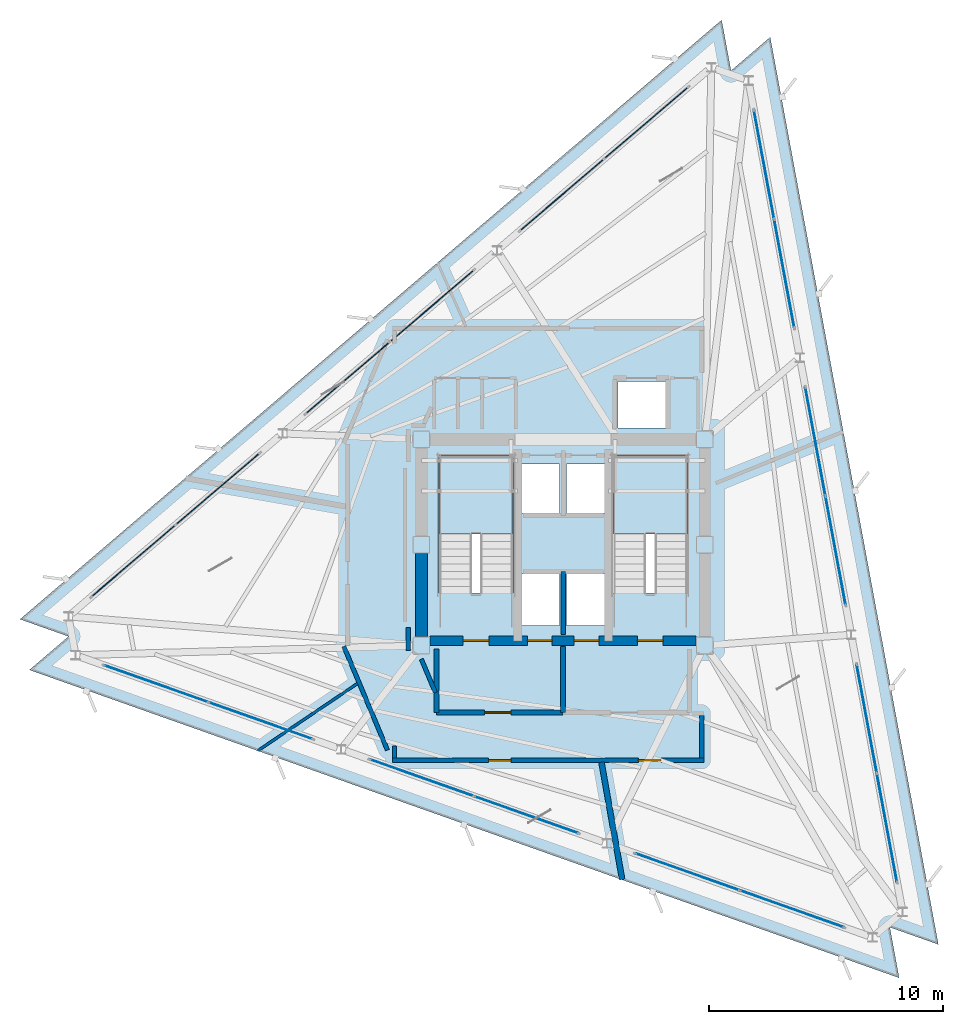
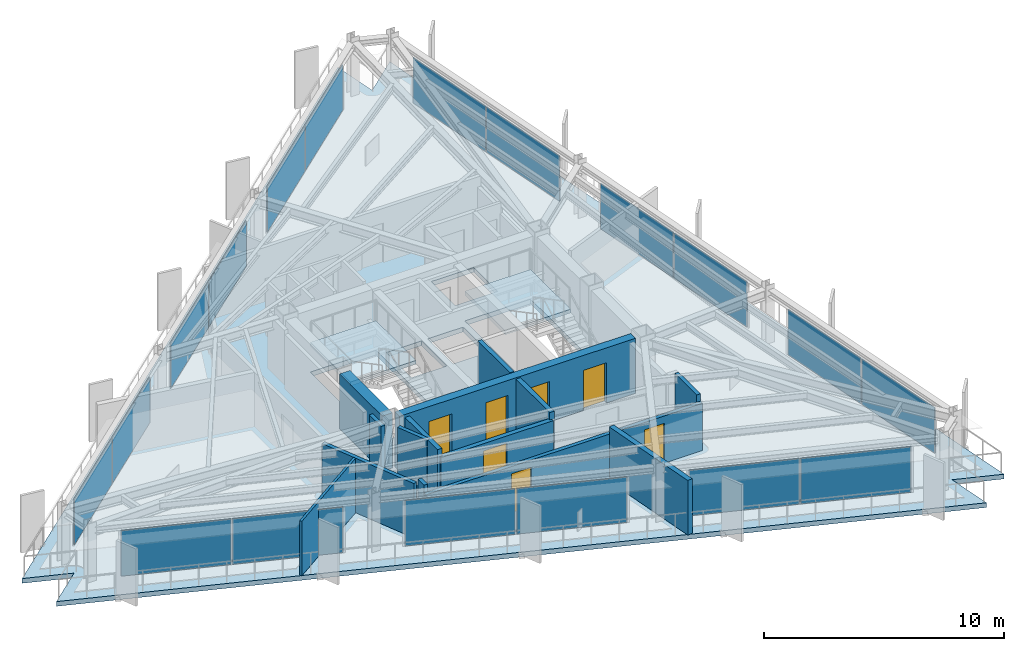
# One storey, part 8 of 14: 18 plates, 14 walls, 7 doors, 3 slabs, 7 openings, 11 elements without a shape of their own.
"""IFC4 building model written with IfcOpenShell, lengths in metres."""

import ifcopenshell
import ifcopenshell.guid

model = None  # the IFC model being written
_history = None  # IfcOwnerHistory: only IFC2X3 demands one
_inside = {}  # id of a spatial element -> (the spatial element, [elements in it])
_under = {}  # id of a project, library or spatial element -> (it, [spatial elements below it])
_declared = {}  # id of a project -> (the project, [libraries it declares])
_typed = {}  # id of a type object -> (the type object, [elements of that type])
_made_of = {}  # id of a material, layer set ... -> (it, [elements and type objects made of it])


def new_model(schema):
    """Start an empty IFC model of exactly this schema.

    Asked for "IFC4X3", IfcOpenShell would pick the latest addendum, in which some entities
    have other attributes; the version numbers below select the first issue.
    IFC2X3 requires an IfcOwnerHistory on every rooted entity: one is made here for all.
    """
    global model, _history
    if schema == "IFC4X3":
        model = ifcopenshell.file(schema_version=(4, 3, 0, 0))
    else:
        model = ifcopenshell.file(schema=schema)
    _inside.clear()
    _under.clear()
    _declared.clear()
    _typed.clear()
    _made_of.clear()
    _history = None
    if model.schema == "IFC2X3":
        org = make("IfcOrganization", Name="unknown")
        user = make(
            "IfcPersonAndOrganization",
            ThePerson=make("IfcPerson", FamilyName="unknown"),
            TheOrganization=org,
        )
        app = make(
            "IfcApplication",
            ApplicationDeveloper=org,
            Version="unknown",
            ApplicationFullName="unknown",
            ApplicationIdentifier="unknown",
        )
        _history = make(
            "IfcOwnerHistory",
            OwningUser=user,
            OwningApplication=app,
            ChangeAction="ADDED",
            CreationDate=0,
        )
    return model


def make(cls, **values):
    """One entity of the class cls with the attributes given. An attribute that is None is left unset."""
    return model.create_entity(
        cls, **{name: value for name, value in values.items() if value is not None}
    )


def rooted(cls, **values):
    """An entity with a GlobalId (a new one), such as an element, a storey or a relation."""
    return make(cls, GlobalId=ifcopenshell.guid.new(), OwnerHistory=_history, **values)


def si_unit(unit_type, name, prefix=None):
    """IfcSIUnit, for example si_unit("LENGTHUNIT", "METRE", prefix="MILLI")."""
    return make("IfcSIUnit", UnitType=unit_type, Prefix=prefix, Name=name)


def assignment(units):
    """IfcUnitAssignment: the units of a project."""
    return None if units is None else make("IfcUnitAssignment", Units=units)


def point(xyz):
    """IfcCartesianPoint."""
    return None if xyz is None else make("IfcCartesianPoint", Coordinates=xyz)


def direction(xyz):
    """IfcDirection."""
    return None if xyz is None else make("IfcDirection", DirectionRatios=xyz)


def frame(location, z_axis=None, x_axis=None):
    """IfcAxis2Placement3D, a coordinate frame: its origin and axes. An axis left out is left unset."""
    return make(
        "IfcAxis2Placement3D",
        Location=point(location),
        Axis=direction(z_axis),
        RefDirection=direction(x_axis),
    )


def frame_2d(location, x_axis=None):
    """IfcAxis2Placement2D, a coordinate frame in the plane: its origin and x axis."""
    return make(
        "IfcAxis2Placement2D", Location=point(location), RefDirection=direction(x_axis)
    )


def origin():
    """The frame at (0, 0, 0) with its axes left unset."""
    return frame((0.0, 0.0, 0.0))


def origin_2d():
    """The frame at (0, 0) in the plane with its x axis left unset."""
    return frame_2d((0.0, 0.0))


def place(relative_to, where):
    """IfcLocalPlacement: puts the frame where relative to a parent placement (None: the world)."""
    return make(
        "IfcLocalPlacement", PlacementRelTo=relative_to, RelativePlacement=where
    )


def context(
    kind, dimensions, precision=None, world=None, true_north=None, identifier=None
):
    """IfcGeometricRepresentationContext, for example the 3D "Model" context."""
    return make(
        "IfcGeometricRepresentationContext",
        ContextIdentifier=identifier,
        ContextType=kind,
        CoordinateSpaceDimension=dimensions,
        Precision=precision,
        WorldCoordinateSystem=world,
        TrueNorth=true_north,
    )


def subcontext(parent, identifier, kind, view, scale=None):
    """IfcGeometricRepresentationSubContext, for example "Body" below "Model"."""
    return make(
        "IfcGeometricRepresentationSubContext",
        ContextIdentifier=identifier,
        ContextType=kind,
        ParentContext=parent,
        TargetScale=scale,
        TargetView=view,
    )


def project(units=None, contexts=None):
    """IfcProject with its units and contexts."""
    return rooted(
        "IfcProject",
        Name="project",
        RepresentationContexts=contexts,
        UnitsInContext=assignment(units),
    )


def spatial(cls, under=None, at=None, **own):
    """A site, building, storey or space (cls), placed at a placement, below another one or the project."""
    s = rooted(cls, ObjectPlacement=at, **own)
    if under is not None:
        _under.setdefault(under.id(), (under, []))[1].append(s)
    return s


def polyline(points):
    """IfcPolyline through the points."""
    return make("IfcPolyline", Points=[point(p) for p in points])


def profile(cls, at=None, kind="AREA", **sizes):
    """A parametric profile (cls). Its sizes go by their IFC names, for example OverallWidth=200.0."""
    return make(cls, ProfileType=kind, Position=at, **sizes)


def rectangle(**sizes):
    """IfcRectangleProfileDef."""
    return profile("IfcRectangleProfileDef", **sizes)


def outline(outer, holes=None, kind="AREA"):
    """IfcArbitraryClosedProfileDef: a profile drawn as a closed curve; with holes, ...WithVoids."""
    if holes is None:
        return make("IfcArbitraryClosedProfileDef", ProfileType=kind, OuterCurve=outer)
    return make(
        "IfcArbitraryProfileDefWithVoids",
        ProfileType=kind,
        OuterCurve=outer,
        InnerCurves=holes,
    )


def extrude(swept, where, along, depth):
    """IfcExtrudedAreaSolid: the profile swept, set in the frame where, extruded along a direction by depth."""
    return make(
        "IfcExtrudedAreaSolid",
        SweptArea=swept,
        Position=where,
        ExtrudedDirection=direction(along),
        Depth=depth,
    )


def shape(context_of_items, identifier, shape_type, items):
    """IfcShapeRepresentation: the items that make up one representation, for example the "Body"."""
    return make(
        "IfcShapeRepresentation",
        ContextOfItems=context_of_items,
        RepresentationIdentifier=identifier,
        RepresentationType=shape_type,
        Items=items,
    )


def material(Name=None, Category=None):
    """IfcMaterial."""
    return make("IfcMaterial", Name=Name, Category=Category)


def layer(
    of_material, thickness, ventilated=None, Name=None, Category=None, Priority=None
):
    """IfcMaterialLayer: one layer of a wall or slab, of a material (None: an air gap)."""
    return make(
        "IfcMaterialLayer",
        Material=of_material,
        LayerThickness=thickness,
        IsVentilated=ventilated,
        Name=Name,
        Category=Category,
        Priority=Priority,
    )


def layer_set(layers, Name=None):
    """IfcMaterialLayerSet."""
    return make("IfcMaterialLayerSet", MaterialLayers=layers, LayerSetName=Name)


def made_of(thing, what):
    """Note that an element or type object is made of a material, layer set ...; save() writes the relation."""
    if what is not None:
        _made_of.setdefault(what.id(), (what, []))[1].append(thing)
    return thing


def type_object(cls, material=None, **own):
    """A type object (cls), such as IfcWallType, which elements share."""
    return made_of(rooted(cls, **own), material)


def element(
    cls,
    number,
    at=None,
    inside=None,
    cuts=None,
    type_object=None,
    material=None,
    context=None,
    identifier="Body",
    shape_type=None,
    held_by="IfcProductDefinitionShape",
    body=None,
    shapes=None,
    **own,
):
    """One element of the class cls, such as IfcWall. Its Tag is "e" and its number.

    at: its placement. inside: the storey or other place that contains it. cuts: it is an
    opening in that element (IfcRelVoidsElement). A single representation is given by context,
    identifier, shape_type and body (its items); several are given by shapes. held_by: the class
    of the entity that holds the representations. save() writes the other relations.
    """
    e = rooted(cls, Tag="e%d" % number, ObjectPlacement=at, **own)
    if body is not None:
        shapes = [shape(context, identifier, shape_type, body)]
    if shapes is not None:
        e.Representation = make(held_by, Representations=shapes)
    if inside is not None:
        _inside.setdefault(inside.id(), (inside, []))[1].append(e)
    if cuts is not None:
        rooted(
            "IfcRelVoidsElement", RelatingBuildingElement=cuts, RelatedOpeningElement=e
        )
    if type_object is not None:
        _typed.setdefault(type_object.id(), (type_object, []))[1].append(e)
    return made_of(e, material)


def fill(opening, filler):
    """IfcRelFillsElement: the door or window that sits in an opening."""
    return rooted(
        "IfcRelFillsElement",
        RelatingOpeningElement=opening,
        RelatedBuildingElement=filler,
    )


def aggregate(whole, parts):
    """IfcRelAggregates: a whole, such as a stair, and the parts it consists of."""
    return rooted("IfcRelAggregates", RelatingObject=whole, RelatedObjects=parts)


def save(model, path):
    """Write the relations noted so far, then the file.

    IfcRelAggregates (storeys below a building ...), IfcRelContainedInSpatialStructure (elements
    in a storey), IfcRelDefinesByType, IfcRelAssociatesMaterial and IfcRelDeclares: one each for
    every whole, place, type object, material and project.
    """
    for whole, parts in _under.values():
        aggregate(whole, parts)
    for where, things in _inside.values():
        rooted(
            "IfcRelContainedInSpatialStructure",
            RelatedElements=things,
            RelatingStructure=where,
        )
    for kind, things in _typed.values():
        rooted("IfcRelDefinesByType", RelatedObjects=things, RelatingType=kind)
    for what, things in _made_of.values():
        rooted("IfcRelAssociatesMaterial", RelatedObjects=things, RelatingMaterial=what)
    for by, libraries in _declared.values():
        rooted("IfcRelDeclares", RelatingContext=by, RelatedDefinitions=libraries)
    model.write(path)


model = new_model("IFC4")

# Units and contexts
model_context = context("Model", 3, precision=1e-05, world=origin(), true_north=direction((0.0, 1.0)))
body_context = subcontext(model_context, "Body", "Model", "MODEL_VIEW")
ifc_project = project(units=[si_unit("LENGTHUNIT", "METRE"), si_unit("AREAUNIT", "SQUARE_METRE"), si_unit("VOLUMEUNIT", "CUBIC_METRE"), si_unit("PLANEANGLEUNIT", "RADIAN"), si_unit("MASSUNIT", "GRAM", prefix="KILO")], contexts=[model_context])

# Site, building, storey
site_placement = place(None, origin())
site = spatial("IfcSite", under=ifc_project, at=site_placement, CompositionType="ELEMENT")
building_placement = place(site_placement, origin())
building = spatial("IfcBuilding", under=site, at=building_placement, Name="Rocaltana Carrier Exchange", CompositionType="ELEMENT")
storey_placement = place(building_placement, frame((0.0, 0.0, 184.47998046875)))
storey = spatial("IfcBuildingStorey", under=building, at=storey_placement, Name="L58", CompositionType="ELEMENT", Elevation=184.47998046875)

# Curtain wall, plates
ifc_material_1 = material(Name="Aluminium 6063-T6", Category="aluminium")
ifc_layer_1 = layer(ifc_material_1, 0.135009765625)
ifc_layer_set_1 = layer_set([ifc_layer_1], Name="Aluminium 6063-T6")
curtain_wall_type = type_object("IfcCurtainWallType", Name="Upper-Mid Acoustic Curtain Wall CW-04", PredefinedType="NOTDEFINED", material=ifc_layer_set_1)
curtain_wall_1_placement = place(storey_placement, origin())
curtain_wall_1 = element("IfcCurtainWall", 1, at=curtain_wall_1_placement, inside=storey, type_object=curtain_wall_type, Name="L58 CW-04 Run CW-L58-F1S1", PredefinedType="NOTDEFINED")
ifc_material_2 = material(Name="Tempered Laminated Glass", Category="glass")
ifc_layer_2 = layer(ifc_material_2, 0.0380859375)
ifc_layer_set_2 = layer_set([ifc_layer_2], Name="Tempered Laminated Glass")
plate_type = type_object("IfcPlateType", Name="CW-04 Stone-Insulated Vision Panel", PredefinedType="CURTAIN_PANEL", material=ifc_layer_set_2)
plate_1_placement = place(storey_placement, frame((13.827392578125, -12.0830078125, 0.06494140625), z_axis=(0.0, 0.0, 1.0), x_axis=(-0.182234247149, 0.98325514449, 0.0)))
plate_1 = element("IfcPlate", 2, at=plate_1_placement, type_object=plate_type, Name="CW-04 panel 1.1", PredefinedType="CURTAIN_PANEL", context=body_context, shape_type="SweptSolid", body=[
    extrude(rectangle(XDim=4.669189453125, YDim=0.0380859375, at=origin_2d()), origin(), (0.0, 0.0, 1.0), 2.318115234375),
])
plate_2_placement = place(storey_placement, frame((12.964599609375, -7.427978515625, 0.06494140625), z_axis=(0.0, 0.0, 1.0), x_axis=(-0.182234247149, 0.98325514449, 0.0)))
plate_2 = element("IfcPlate", 3, at=plate_2_placement, type_object=plate_type, Name="CW-04 panel 2.1", PredefinedType="CURTAIN_PANEL", context=body_context, shape_type="SweptSolid", body=[
    extrude(rectangle(XDim=4.669189453125, YDim=0.0380859375, at=origin_2d()), origin(), (0.0, 0.0, 1.0), 2.318115234375),
])
aggregate(curtain_wall_1, [plate_1, plate_2])

curtain_wall_2_placement = place(storey_placement, origin())
curtain_wall_2 = element("IfcCurtainWall", 4, at=curtain_wall_2_placement, inside=storey, type_object=curtain_wall_type, Name="L58 CW-04 Run CW-L58-F1S2", PredefinedType="NOTDEFINED")
plate_3_placement = place(storey_placement, frame((11.634521484375, -0.2509765625, 0.06494140625), z_axis=(0.0, 0.0, 1.0), x_axis=(-0.182236126712, 0.983254796134, 0.0)))
plate_3 = element("IfcPlate", 5, at=plate_3_placement, type_object=plate_type, Name="CW-04 panel 1.1", PredefinedType="CURTAIN_PANEL", context=body_context, shape_type="SweptSolid", body=[
    extrude(rectangle(XDim=4.669189453125, YDim=0.0380859375, at=origin_2d()), origin(), (0.0, 0.0, 1.0), 2.318115234375),
])
plate_4_placement = place(storey_placement, frame((10.771728515625, 4.40380859375, 0.06494140625), z_axis=(0.0, 0.0, 1.0), x_axis=(-0.182236126712, 0.983254796134, 0.0)))
plate_4 = element("IfcPlate", 6, at=plate_4_placement, type_object=plate_type, Name="CW-04 panel 2.1", PredefinedType="CURTAIN_PANEL", context=body_context, shape_type="SweptSolid", body=[
    extrude(rectangle(XDim=4.669189453125, YDim=0.0380859375, at=origin_2d()), origin(), (0.0, 0.0, 1.0), 2.318115234375),
])
aggregate(curtain_wall_2, [plate_3, plate_4])

curtain_wall_3_placement = place(storey_placement, origin())
curtain_wall_3 = element("IfcCurtainWall", 7, at=curtain_wall_3_placement, inside=storey, type_object=curtain_wall_type, Name="L58 CW-04 Run CW-L58-F1S3", PredefinedType="NOTDEFINED")
plate_5_placement = place(storey_placement, frame((9.441650390625, 11.580810546875, 0.06494140625), z_axis=(0.0, 0.0, 1.0), x_axis=(-0.182236126712, 0.983254796134, 0.0)))
plate_5 = element("IfcPlate", 8, at=plate_5_placement, type_object=plate_type, Name="CW-04 panel 1.1", PredefinedType="CURTAIN_PANEL", context=body_context, shape_type="SweptSolid", body=[
    extrude(rectangle(XDim=4.669189453125, YDim=0.0380859375, at=origin_2d()), origin(), (0.0, 0.0, 1.0), 2.318115234375),
])
plate_6_placement = place(storey_placement, frame((8.578857421875, 16.235595703125, 0.06494140625), z_axis=(0.0, 0.0, 1.0), x_axis=(-0.182236126712, 0.983254796134, 0.0)))
plate_6 = element("IfcPlate", 9, at=plate_6_placement, type_object=plate_type, Name="CW-04 panel 2.1", PredefinedType="CURTAIN_PANEL", context=body_context, shape_type="SweptSolid", body=[
    extrude(rectangle(XDim=4.669189453125, YDim=0.0380859375, at=origin_2d()), origin(), (0.0, 0.0, 1.0), 2.318115234375),
])
aggregate(curtain_wall_3, [plate_5, plate_6])

curtain_wall_4_placement = place(storey_placement, origin())
curtain_wall_4 = element("IfcCurtainWall", 10, at=curtain_wall_4_placement, inside=storey, type_object=curtain_wall_type, Name="L58 CW-04 Run CW-L58-F2S1", PredefinedType="NOTDEFINED")
plate_7_placement = place(storey_placement, frame((3.55029296875, 18.016357421875, 0.06494140625), z_axis=(0.0, 0.0, 1.0), x_axis=(-0.760406053922, -0.649447944918, 0.0)))
plate_7 = element("IfcPlate", 11, at=plate_7_placement, type_object=plate_type, Name="CW-04 panel 1.1", PredefinedType="CURTAIN_PANEL", context=body_context, shape_type="SweptSolid", body=[
    extrude(rectangle(XDim=4.669189453125, YDim=0.0380859375, at=origin_2d()), origin(), (0.0, 0.0, 1.0), 2.318115234375),
])
plate_8_placement = place(storey_placement, frame((-0.049560546875, 14.94189453125, 0.06494140625), z_axis=(0.0, 0.0, 1.0), x_axis=(-0.760406053922, -0.649447944918, 0.0)))
plate_8 = element("IfcPlate", 12, at=plate_8_placement, type_object=plate_type, Name="CW-04 panel 2.1", PredefinedType="CURTAIN_PANEL", context=body_context, shape_type="SweptSolid", body=[
    extrude(rectangle(XDim=4.669189453125, YDim=0.0380859375, at=origin_2d()), origin(), (0.0, 0.0, 1.0), 2.318115234375),
])
aggregate(curtain_wall_4, [plate_7, plate_8])

curtain_wall_5_placement = place(storey_placement, origin())
curtain_wall_5 = element("IfcCurtainWall", 13, at=curtain_wall_5_placement, inside=storey, type_object=curtain_wall_type, Name="L58 CW-04 Run CW-L58-F2S2", PredefinedType="NOTDEFINED")
plate_9_placement = place(storey_placement, frame((-5.599853515625, 10.201416015625, 0.06494140625), z_axis=(0.0, 0.0, 1.0), x_axis=(-0.760400873756, -0.649454010067, 0.0)))
plate_9 = element("IfcPlate", 14, at=plate_9_placement, type_object=plate_type, Name="CW-04 panel 1.1", PredefinedType="CURTAIN_PANEL", context=body_context, shape_type="SweptSolid", body=[
    extrude(rectangle(XDim=4.669189453125, YDim=0.0380859375, at=origin_2d()), origin(), (0.0, 0.0, 1.0), 2.318115234375),
])
plate_10_placement = place(storey_placement, frame((-9.19970703125, 7.126708984375, 0.06494140625), z_axis=(0.0, 0.0, 1.0), x_axis=(-0.760400873756, -0.649454010067, 0.0)))
plate_10 = element("IfcPlate", 15, at=plate_10_placement, type_object=plate_type, Name="CW-04 panel 2.1", PredefinedType="CURTAIN_PANEL", context=body_context, shape_type="SweptSolid", body=[
    extrude(rectangle(XDim=4.669189453125, YDim=0.0380859375, at=origin_2d()), origin(), (0.0, 0.0, 1.0), 2.318115234375),
])
aggregate(curtain_wall_5, [plate_9, plate_10])

curtain_wall_6_placement = place(storey_placement, origin())
curtain_wall_6 = element("IfcCurtainWall", 16, at=curtain_wall_6_placement, inside=storey, type_object=curtain_wall_type, Name="L58 CW-04 Run CW-L58-F2S3", PredefinedType="NOTDEFINED")
plate_11_placement = place(storey_placement, frame((-14.75, 2.38623046875, 0.06494140625), z_axis=(0.0, 0.0, 1.0), x_axis=(-0.760406053922, -0.649447944918, 0.0)))
plate_11 = element("IfcPlate", 17, at=plate_11_placement, type_object=plate_type, Name="CW-04 panel 1.1", PredefinedType="CURTAIN_PANEL", context=body_context, shape_type="SweptSolid", body=[
    extrude(rectangle(XDim=4.669189453125, YDim=0.0380859375, at=origin_2d()), origin(), (0.0, 0.0, 1.0), 2.318115234375),
])
plate_12_placement = place(storey_placement, frame((-18.349853515625, -0.688232421875, 0.06494140625), z_axis=(0.0, 0.0, 1.0), x_axis=(-0.760406053922, -0.649447944918, 0.0)))
plate_12 = element("IfcPlate", 18, at=plate_12_placement, type_object=plate_type, Name="CW-04 panel 2.1", PredefinedType="CURTAIN_PANEL", context=body_context, shape_type="SweptSolid", body=[
    extrude(rectangle(XDim=4.669189453125, YDim=0.0380859375, at=origin_2d()), origin(), (0.0, 0.0, 1.0), 2.318115234375),
])
aggregate(curtain_wall_6, [plate_11, plate_12])

curtain_wall_7_placement = place(storey_placement, origin())
curtain_wall_7 = element("IfcCurtainWall", 19, at=curtain_wall_7_placement, inside=storey, type_object=curtain_wall_type, Name="L58 CW-04 Run CW-L58-F3S1", PredefinedType="NOTDEFINED")
plate_13_placement = place(storey_placement, frame((-17.3779296875, -5.93359375, 0.06494140625), z_axis=(0.0, 0.0, 1.0), x_axis=(0.942645516582, -0.333795491383, 0.0)))
plate_13 = element("IfcPlate", 20, at=plate_13_placement, type_object=plate_type, Name="CW-04 panel 1.1", PredefinedType="CURTAIN_PANEL", context=body_context, shape_type="SweptSolid", body=[
    extrude(rectangle(XDim=4.669189453125, YDim=0.0380859375, at=origin_2d()), origin(), (0.0, 0.0, 1.0), 2.318115234375),
])
plate_14_placement = place(storey_placement, frame((-12.915283203125, -7.513671875, 0.06494140625), z_axis=(0.0, 0.0, 1.0), x_axis=(0.942645516582, -0.333795491383, 0.0)))
plate_14 = element("IfcPlate", 21, at=plate_14_placement, type_object=plate_type, Name="CW-04 panel 2.1", PredefinedType="CURTAIN_PANEL", context=body_context, shape_type="SweptSolid", body=[
    extrude(rectangle(XDim=4.669189453125, YDim=0.0380859375, at=origin_2d()), origin(), (0.0, 0.0, 1.0), 2.318115234375),
])
aggregate(curtain_wall_7, [plate_13, plate_14])

curtain_wall_8_placement = place(storey_placement, origin())
curtain_wall_8 = element("IfcCurtainWall", 22, at=curtain_wall_8_placement, inside=storey, type_object=curtain_wall_type, Name="L58 CW-04 Run CW-L58-F3S2", PredefinedType="NOTDEFINED")
plate_15_placement = place(storey_placement, frame((-6.03466796875, -9.9501953125, 0.06494140625), z_axis=(0.0, 0.0, 1.0), x_axis=(0.942644347833, -0.333798791936, 0.0)))
plate_15 = element("IfcPlate", 23, at=plate_15_placement, type_object=plate_type, Name="CW-04 panel 1.1", PredefinedType="CURTAIN_PANEL", context=body_context, shape_type="SweptSolid", body=[
    extrude(rectangle(XDim=4.669189453125, YDim=0.0380859375, at=origin_2d()), origin(), (0.0, 0.0, 1.0), 2.318115234375),
])
plate_16_placement = place(storey_placement, frame((-1.572021484375, -11.530517578125, 0.06494140625), z_axis=(0.0, 0.0, 1.0), x_axis=(0.942644347833, -0.333798791936, 0.0)))
plate_16 = element("IfcPlate", 24, at=plate_16_placement, type_object=plate_type, Name="CW-04 panel 2.1", PredefinedType="CURTAIN_PANEL", context=body_context, shape_type="SweptSolid", body=[
    extrude(rectangle(XDim=4.669189453125, YDim=0.0380859375, at=origin_2d()), origin(), (0.0, 0.0, 1.0), 2.318115234375),
])
aggregate(curtain_wall_8, [plate_15, plate_16])

curtain_wall_9_placement = place(storey_placement, origin())
curtain_wall_9 = element("IfcCurtainWall", 25, at=curtain_wall_9_placement, inside=storey, type_object=curtain_wall_type, Name="L58 CW-04 Run CW-L58-F3S3", PredefinedType="NOTDEFINED")
plate_17_placement = place(storey_placement, frame((5.308349609375, -13.967041015625, 0.06494140625), z_axis=(0.0, 0.0, 1.0), x_axis=(0.942644347833, -0.333798791936, 0.0)))
plate_17 = element("IfcPlate", 26, at=plate_17_placement, type_object=plate_type, Name="CW-04 panel 1.1", PredefinedType="CURTAIN_PANEL", context=body_context, shape_type="SweptSolid", body=[
    extrude(rectangle(XDim=4.669189453125, YDim=0.0380859375, at=origin_2d()), origin(), (0.0, 0.0, 1.0), 2.318115234375),
])
plate_18_placement = place(storey_placement, frame((9.77099609375, -15.54736328125, 0.06494140625), z_axis=(0.0, 0.0, 1.0), x_axis=(0.942644347833, -0.333798791936, 0.0)))
plate_18 = element("IfcPlate", 27, at=plate_18_placement, type_object=plate_type, Name="CW-04 panel 2.1", PredefinedType="CURTAIN_PANEL", context=body_context, shape_type="SweptSolid", body=[
    extrude(rectangle(XDim=4.669189453125, YDim=0.0380859375, at=origin_2d()), origin(), (0.0, 0.0, 1.0), 2.318115234375),
])
aggregate(curtain_wall_9, [plate_17, plate_18])

# Slab
ifc_material_3 = material(Name="Concrete C50/60", Category="concrete")
ifc_layer_3 = layer(ifc_material_3, 0.239990234375)
ifc_layer_set_3 = layer_set([ifc_layer_3], Name="Concrete C50/60")
slab_type_1 = type_object("IfcSlabType", Name="High-Zone Tower Slab 240", PredefinedType="FLOOR", material=ifc_layer_set_3)
slab_1_placement = place(storey_placement, frame((0.0, 0.0, -0.239990234375)))
element("IfcSlab", 28, at=slab_1_placement, inside=storey, type_object=slab_type_1, Name="L58 Structural Floor Slab", PredefinedType="FLOOR", context=body_context, shape_type="SweptSolid", body=[
    extrude(outline(polyline([(14.349365234375, -18.49462890625), (13.948486328125, -16.33154296875), (16.022216796875, -17.06591796875), (8.84228515625, 21.67431640625), (7.169189453125, 20.24560546875), (6.768310546875, 22.40869140625), (-23.191650390625, -3.1796875), (-21.117919921875, -3.9140625), (-22.790771484375, -5.3427734375), (14.349365234375, -18.49462890625)]), holes=[polyline([(-5.300048828125, -2.06005859375), (-2.139892578125, -2.06005859375), (-2.139892578125, 3.800048828125), (-5.300048828125, 3.800048828125), (-5.300048828125, -2.06005859375)]), polyline([(2.139892578125, -2.06005859375), (5.300048828125, -2.06005859375), (5.300048828125, 3.800048828125), (2.139892578125, 3.800048828125), (2.139892578125, -2.06005859375)]), polyline([(-1.85009765625, -3.449951171875), (-0.14990234375, -3.449951171875), (-0.14990234375, -1.25), (-1.85009765625, -1.25), (-1.85009765625, -3.449951171875)]), polyline([(0.14990234375, -3.449951171875), (1.85009765625, -3.449951171875), (1.85009765625, -1.25), (0.14990234375, -1.25), (0.14990234375, -3.449951171875)]), polyline([(2.35009765625, 4.97998046875), (4.39990234375, 4.97998046875), (4.39990234375, 6.97998046875), (2.35009765625, 6.97998046875), (2.35009765625, 4.97998046875)]), polyline([(-1.85009765625, 1.35009765625), (-0.14990234375, 1.35009765625), (-0.14990234375, 3.449951171875), (-1.85009765625, 3.449951171875), (-1.85009765625, 1.35009765625)]), polyline([(0.14990234375, 1.35009765625), (1.85009765625, 1.35009765625), (1.85009765625, 3.449951171875), (0.14990234375, 3.449951171875), (0.14990234375, 1.35009765625)])]), origin(), (0.0, 0.0, 1.0), 0.239990234375),
])

# Stair, slab
ifc_material_4 = material(Name="Precast concrete C45/55", Category="concrete")
stair_type = type_object("IfcStairType", Name="Standard Dog-Leg Stair 160", PredefinedType="HALF_TURN_STAIR", material=ifc_material_4)
stair_1_placement = place(storey_placement, origin())
stair_1 = element("IfcStair", 29, at=stair_1_placement, inside=storey, type_object=stair_type, Name="L58 Core West Exit Stair ST-1", PredefinedType="HALF_TURN_STAIR")
ifc_material_5 = material(Name="Precast concrete C45/55", Category="concrete")
ifc_layer_4 = layer(ifc_material_5, 0.199951171875)
ifc_layer_set_4 = layer_set([ifc_layer_4], Name="Precast concrete C45/55")
slab_type_2 = type_object("IfcSlabType", Name="Precast Stair Half-Landing 200", PredefinedType="LANDING", material=ifc_layer_set_4)
slab_2_placement = place(storey_placement, frame((0.0, 0.0, 1.320068359375)))
slab_2 = element("IfcSlab", 30, at=slab_2_placement, type_object=slab_type_2, Name="ST-1 landing 1", PredefinedType="LANDING", context=body_context, shape_type="SweptSolid", body=[
    extrude(outline(polyline([(-2.139892578125, 0.4599609375), (-2.139892578125, 3.800048828125), (-5.300048828125, 3.800048828125), (-5.300048828125, 0.4599609375), (-2.139892578125, 0.4599609375)])), origin(), (0.0, 0.0, 1.0), 0.199951171875),
])
aggregate(stair_1, [slab_2])

stair_2_placement = place(storey_placement, origin())
stair_2 = element("IfcStair", 31, at=stair_2_placement, inside=storey, type_object=stair_type, Name="L58 Core East Exit Stair ST-2", PredefinedType="HALF_TURN_STAIR")
slab_3_placement = place(storey_placement, frame((0.0, 0.0, 1.320068359375)))
slab_3 = element("IfcSlab", 32, at=slab_3_placement, type_object=slab_type_2, Name="ST-2 landing 1", PredefinedType="LANDING", context=body_context, shape_type="SweptSolid", body=[
    extrude(outline(polyline([(5.300048828125, 0.4599609375), (5.300048828125, 3.800048828125), (2.139892578125, 3.800048828125), (2.139892578125, 0.4599609375), (5.300048828125, 0.4599609375)])), origin(), (0.0, 0.0, 1.0), 0.199951171875),
])
aggregate(stair_2, [slab_3])

# Wall, openings, doors
ifc_material_6 = material(Name="Concrete C50/60", Category="concrete")
ifc_layer_5 = layer(ifc_material_6, 0.39990234375)
ifc_layer_set_5 = layer_set([ifc_layer_5], Name="Concrete C50/60")
wall_type_1 = type_object("IfcWallType", Name="Core Internal Shear Wall 400", PredefinedType="SHEAR", material=ifc_layer_set_5)
wall_1_placement = place(storey_placement, frame((-5.675048828125, -4.10009765625, 0.0), z_axis=(0.0, 0.0, 1.0), x_axis=(1.0, 0.0, 0.0)))
wall_1 = element("IfcWall", 33, at=wall_1_placement, inside=storey, type_object=wall_type_1, Name="L58 Core Shear Wall CW-S", PredefinedType="SHEAR", context=body_context, shape_type="SweptSolid", body=[
    extrude(rectangle(XDim=11.35009765625, YDim=0.39990234375, at=frame_2d((5.675048828125, 0.0))), origin(), (0.0, 0.0, 1.0), 2.798095703125),
])
opening_1_placement = place(wall_1_placement, frame((1.405029296875, 0.0, 0.0)))
opening_1 = element("IfcOpeningElement", 34, at=opening_1_placement, cuts=wall_1, Name="Opening D-ST110", PredefinedType="OPENING", context=body_context, shape_type="SweptSolid", body=[
    extrude(rectangle(XDim=1.10009765625, YDim=2.0400390625, at=frame_2d((0.550048828125, 1.02001953125))), frame((0.0, 0.2099609375, 0.0), z_axis=(0.0, -1.0, 0.0), x_axis=(1.0, 0.0, 0.0)), (0.0, 0.0, 1.0), 0.419921875),
])
opening_2_placement = place(wall_1_placement, frame((8.844970703125, 0.0, 0.0)))
opening_2 = element("IfcOpeningElement", 35, at=opening_2_placement, cuts=wall_1, Name="Opening D-ST110", PredefinedType="OPENING", context=body_context, shape_type="SweptSolid", body=[
    extrude(rectangle(XDim=1.10009765625, YDim=2.0400390625, at=frame_2d((0.550048828125, 1.02001953125))), frame((0.0, 0.2099609375, 0.0), z_axis=(0.0, -1.0, 0.0), x_axis=(1.0, 0.0, 0.0)), (0.0, 0.0, 1.0), 0.419921875),
])
opening_3_placement = place(wall_1_placement, frame((4.14501953125, 0.0, 0.0)))
opening_3 = element("IfcOpeningElement", 36, at=opening_3_placement, cuts=wall_1, Name="Opening LD-110", PredefinedType="OPENING", context=body_context, shape_type="SweptSolid", body=[
    extrude(rectangle(XDim=1.06005859375, YDim=2.0400390625, at=frame_2d((0.530029296875, 1.02001953125))), frame((0.0, 0.2099609375, 0.0), z_axis=(0.0, -1.0, 0.0), x_axis=(1.0, 0.0, 0.0)), (0.0, 0.0, 1.0), 0.419921875),
])
opening_4_placement = place(wall_1_placement, frame((6.14501953125, 0.0, 0.0)))
opening_4 = element("IfcOpeningElement", 37, at=opening_4_placement, cuts=wall_1, Name="Opening LD-110", PredefinedType="OPENING", context=body_context, shape_type="SweptSolid", body=[
    extrude(rectangle(XDim=1.06005859375, YDim=2.0400390625, at=frame_2d((0.530029296875, 1.02001953125))), frame((0.0, 0.2099609375, 0.0), z_axis=(0.0, -1.0, 0.0), x_axis=(1.0, 0.0, 0.0)), (0.0, 0.0, 1.0), 0.419921875),
])
ifc_material_7 = material(Name="Hollow Metal Fire Door Assembly", Category="steel")
door_type_1 = type_object("IfcDoorType", Name="Exit Stair Fire Door 1100x2040 FD90S", OperationType="NOTDEFINED", PredefinedType="DOOR", material=ifc_material_7)
door_1_placement = place(opening_1_placement, origin())
door_1 = element("IfcDoor", 38, at=door_1_placement, inside=storey, type_object=door_type_1, Name="L58 Exit Stair ST1 Fire Door", OperationType="SINGLE_SWING_LEFT", OverallHeight=2.0400390625, OverallWidth=1.10009765625, PredefinedType="DOOR", context=body_context, shape_type="SweptSolid", body=[
    extrude(rectangle(XDim=1.10009765625, YDim=2.0400390625, at=frame_2d((0.550048828125, 1.02001953125))), frame((0.0, 0.02490234375, 0.0), z_axis=(0.0, -1.0, 0.0), x_axis=(1.0, 0.0, 0.0)), (0.0, 0.0, 1.0), 0.050048828125),
])
fill(opening_1, door_1)
door_2_placement = place(opening_2_placement, origin())
door_2 = element("IfcDoor", 39, at=door_2_placement, inside=storey, type_object=door_type_1, Name="L58 Exit Stair ST2 Fire Door", OperationType="SINGLE_SWING_RIGHT", OverallHeight=2.0400390625, OverallWidth=1.10009765625, PredefinedType="DOOR", context=body_context, shape_type="SweptSolid", body=[
    extrude(rectangle(XDim=1.10009765625, YDim=2.0400390625, at=frame_2d((0.550048828125, 1.02001953125))), frame((0.0, 0.02490234375, 0.0), z_axis=(0.0, -1.0, 0.0), x_axis=(1.0, 0.0, 0.0)), (0.0, 0.0, 1.0), 0.050048828125),
])
fill(opening_2, door_2)
ifc_material_8 = material(Name="Brushed Stainless Sliding Door Leaf", Category="steel")
door_type_2 = type_object("IfcDoorType", Name="Lift Landing Sliding Door 1060x2040", OperationType="NOTDEFINED", PredefinedType="DOOR", material=ifc_material_8)
door_3_placement = place(opening_3_placement, origin())
door_3 = element("IfcDoor", 40, at=door_3_placement, inside=storey, type_object=door_type_2, Name="L58 Firefighting Lift FFL1 Landing Door", OperationType="SLIDING_TO_LEFT", OverallHeight=2.0400390625, OverallWidth=1.06005859375, PredefinedType="DOOR", context=body_context, shape_type="SweptSolid", body=[
    extrude(rectangle(XDim=1.06005859375, YDim=2.0400390625, at=frame_2d((0.530029296875, 1.02001953125))), frame((0.0, 0.02490234375, 0.0), z_axis=(0.0, -1.0, 0.0), x_axis=(1.0, 0.0, 0.0)), (0.0, 0.0, 1.0), 0.050048828125),
])
fill(opening_3, door_3)
door_4_placement = place(opening_4_placement, origin())
door_4 = element("IfcDoor", 41, at=door_4_placement, inside=storey, type_object=door_type_2, Name="L58 Firefighting Lift FFL2 Landing Door", OperationType="SLIDING_TO_RIGHT", OverallHeight=2.0400390625, OverallWidth=1.06005859375, PredefinedType="DOOR", context=body_context, shape_type="SweptSolid", body=[
    extrude(rectangle(XDim=1.06005859375, YDim=2.0400390625, at=frame_2d((0.530029296875, 1.02001953125))), frame((0.0, 0.02490234375, 0.0), z_axis=(0.0, -1.0, 0.0), x_axis=(1.0, 0.0, 0.0)), (0.0, 0.0, 1.0), 0.050048828125),
])
fill(opening_4, door_4)

# Walls
ifc_material_9 = material(Name="Concrete C50/60", Category="concrete")
ifc_layer_6 = layer(ifc_material_9, 0.5)
ifc_layer_set_6 = layer_set([ifc_layer_6], Name="Concrete C50/60")
wall_type_2 = type_object("IfcWallType", Name="Core Shear Wall 500", PredefinedType="SHEAR", material=ifc_layer_set_6)
wall_2_placement = place(storey_placement, frame((-6.050048828125, -3.925048828125, 0.0), z_axis=(0.0, 0.0, 1.0), x_axis=(0.0, 1.0, 0.0)))
element("IfcWall", 42, at=wall_2_placement, inside=storey, type_object=wall_type_2, Name="L58 Core Shear Wall CW-WS", PredefinedType="SHEAR", context=body_context, shape_type="SweptSolid", body=[
    extrude(rectangle(XDim=3.550048828125, YDim=0.5, at=frame_2d((1.77490234375, 0.0))), origin(), (0.0, 0.0, 1.0), 2.798095703125),
])
ifc_material_10 = material(Name="Gypsum & Steel Stud Partition", Category="steel")
ifc_layer_7 = layer(ifc_material_10, 0.179931640625)
ifc_layer_set_7 = layer_set([ifc_layer_7], Name="Gypsum & Steel Stud Partition")
wall_type_3 = type_object("IfcWallType", Name="Corridor Fire Partition 180 EI60", PredefinedType="PARTITIONING", material=ifc_layer_set_7)
wall_3_placement = place(storey_placement, frame((-7.501220703125, -8.768798828125, 0.0), z_axis=(0.0, 0.0, 1.0), x_axis=(-0.387573945081, 0.921838617706, 0.0)))
element("IfcWall", 43, at=wall_3_placement, inside=storey, type_object=wall_type_3, Name="L58 Corridor Partition 1", PredefinedType="PARTITIONING", context=body_context, shape_type="SweptSolid", body=[
    extrude(rectangle(XDim=4.813232421875, YDim=0.179931640625, at=frame_2d((2.40673828125, 0.0))), origin(), (0.0, 0.0, 1.0), 2.77294921875),
])
wall_4_placement = place(storey_placement, frame((-6.610107421875, -3.541259765625, 0.0), z_axis=(0.0, 0.0, 1.0), x_axis=(0.0, -1.0, 0.0)))
element("IfcWall", 44, at=wall_4_placement, inside=storey, type_object=wall_type_3, Name="L58 Corridor Partition 12", PredefinedType="PARTITIONING", context=body_context, shape_type="SweptSolid", body=[
    extrude(rectangle(XDim=0.978759765625, YDim=0.179931640625, at=frame_2d((0.4892578125, 0.0))), origin(), (0.0, 0.0, 1.0), 2.77294921875),
])
wall_5_placement = place(storey_placement, frame((-6.0546875, -4.881591796875, 0.0), z_axis=(0.0, 0.0, 1.0), x_axis=(0.387579540458, -0.921836265189, 0.0)))
element("IfcWall", 45, at=wall_5_placement, inside=storey, type_object=wall_type_3, Name="L58 Corridor Partition 13", PredefinedType="PARTITIONING", context=body_context, shape_type="SweptSolid", body=[
    extrude(rectangle(XDim=1.5546875, YDim=0.179931640625, at=frame_2d((0.77734375, 0.0))), origin(), (0.0, 0.0, 1.0), 2.77294921875),
])
wall_6_placement = place(storey_placement, frame((5.919921875, -7.2900390625, 0.0), z_axis=(0.0, 0.0, 1.0), x_axis=(0.0, -1.0, 0.0)))
element("IfcWall", 46, at=wall_6_placement, inside=storey, type_object=wall_type_3, Name="L58 Corridor Partition 15", PredefinedType="PARTITIONING", context=body_context, shape_type="SweptSolid", body=[
    extrude(rectangle(XDim=1.820068359375, YDim=0.179931640625, at=frame_2d((0.91015625, 0.0))), origin(), (0.0, 0.0, 1.0), 2.77294921875),
])

# Wall, openings, doors
wall_7_placement = place(storey_placement, frame((6.010009765625, -9.199951171875, 0.0), z_axis=(0.0, 0.0, 1.0), x_axis=(-1.0, 0.0, 0.0)))
wall_7 = element("IfcWall", 47, at=wall_7_placement, inside=storey, type_object=wall_type_3, Name="L58 Corridor Partition 16", PredefinedType="PARTITIONING", context=body_context, shape_type="SweptSolid", body=[
    extrude(rectangle(XDim=13.300048828125, YDim=0.179931640625, at=frame_2d((6.64990234375, 0.0))), origin(), (0.0, 0.0, 1.0), 2.39501953125),
])
opening_5_placement = place(wall_7_placement, frame((8.227294921875, 0.0, 0.0)))
opening_5 = element("IfcOpeningElement", 48, at=opening_5_placement, cuts=wall_7, Name="Opening D-RM098", PredefinedType="OPENING", context=body_context, shape_type="SweptSolid", body=[
    extrude(rectangle(XDim=0.9599609375, YDim=2.02001953125, at=frame_2d((0.47998046875, 1.010009765625))), frame((0.0, 0.099853515625, 0.0), z_axis=(0.0, -1.0, 0.0), x_axis=(1.0, 0.0, 0.0)), (0.0, 0.0, 1.0), 0.199951171875),
])
opening_6_placement = place(wall_7_placement, frame((1.83642578125, 0.0, 0.0)))
opening_6 = element("IfcOpeningElement", 49, at=opening_6_placement, cuts=wall_7, Name="Opening D-RM098", PredefinedType="OPENING", context=body_context, shape_type="SweptSolid", body=[
    extrude(rectangle(XDim=0.9599609375, YDim=2.02001953125, at=frame_2d((0.47998046875, 1.010009765625))), frame((0.0, 0.099853515625, 0.0), z_axis=(0.0, -1.0, 0.0), x_axis=(1.0, 0.0, 0.0)), (0.0, 0.0, 1.0), 0.199951171875),
])
ifc_material_11 = material(Name="Engineered Hardwood Timber", Category="wood")
door_type_3 = type_object("IfcDoorType", Name="Workspace Single Door 960x2020", OperationType="NOTDEFINED", PredefinedType="DOOR", material=ifc_material_11)
door_5_placement = place(opening_5_placement, origin())
door_5 = element("IfcDoor", 50, at=door_5_placement, inside=storey, type_object=door_type_3, Name="L58 Network Operations Office Entrance Door", OperationType="SINGLE_SWING_RIGHT", OverallHeight=2.02001953125, OverallWidth=0.9599609375, PredefinedType="DOOR", context=body_context, shape_type="SweptSolid", body=[
    extrude(rectangle(XDim=0.9599609375, YDim=2.02001953125, at=frame_2d((0.47998046875, 1.010009765625))), frame((0.0, 0.02490234375, 0.0), z_axis=(0.0, -1.0, 0.0), x_axis=(1.0, 0.0, 0.0)), (0.0, 0.0, 1.0), 0.050048828125),
])
fill(opening_5, door_5)
door_6_placement = place(opening_6_placement, origin())
door_6 = element("IfcDoor", 51, at=door_6_placement, inside=storey, type_object=door_type_3, Name="L58 Cloud Architecture Office Entrance Door", OperationType="SINGLE_SWING_LEFT", OverallHeight=2.02001953125, OverallWidth=0.9599609375, PredefinedType="DOOR", context=body_context, shape_type="SweptSolid", body=[
    extrude(rectangle(XDim=0.9599609375, YDim=2.02001953125, at=frame_2d((0.47998046875, 1.010009765625))), frame((0.0, 0.02490234375, 0.0), z_axis=(0.0, -1.0, 0.0), x_axis=(1.0, 0.0, 0.0)), (0.0, 0.0, 1.0), 0.050048828125),
])
fill(opening_6, door_6)

# Walls
wall_8_placement = place(storey_placement, frame((-7.199951171875, -9.110107421875, 0.0), z_axis=(0.0, 0.0, 1.0), x_axis=(0.0, 1.0, 0.0)))
element("IfcWall", 52, at=wall_8_placement, inside=storey, type_object=wall_type_3, Name="L58 Corridor Partition 17", PredefinedType="PARTITIONING", context=body_context, shape_type="SweptSolid", body=[
    extrude(rectangle(XDim=0.509521484375, YDim=0.179931640625, at=frame_2d((0.2548828125, 0.0))), origin(), (0.0, 0.0, 1.0), 2.77294921875),
])
ifc_material_12 = material(Name="Aluminium 6063-T6 & Acoustic Glass", Category="aluminium")
ifc_layer_8 = layer(ifc_material_12, 0.114990234375)
ifc_layer_set_8 = layer_set([ifc_layer_8], Name="Aluminium 6063-T6 & Acoustic Glass")
wall_type_4 = type_object("IfcWallType", Name="Demountable Glazed Lab Partition 115", PredefinedType="MOVABLE", material=ifc_layer_set_8)
wall_9_placement = place(storey_placement, frame((-8.78369140625, -5.9248046875, 0.0), z_axis=(0.0, 0.0, 1.0), x_axis=(-0.829060822753, -0.559158432089, 0.0)))
element("IfcWall", 53, at=wall_9_placement, inside=storey, type_object=wall_type_4, Name="L58 Suite Divider Wall D1", PredefinedType="MOVABLE", context=body_context, shape_type="SweptSolid", body=[
    extrude(rectangle(XDim=5.12158203125, YDim=0.114990234375, at=frame_2d((2.560791015625, 0.0))), origin(), (0.0, 0.0, 1.0), 2.77294921875),
])
ifc_material_13 = material(Name="Autoclaved Aerated Concrete C30/37", Category="concrete")
ifc_layer_9 = layer(ifc_material_13, 0.219970703125)
ifc_layer_set_9 = layer_set([ifc_layer_9], Name="Autoclaved Aerated Concrete C30/37")
wall_type_5 = type_object("IfcWallType", Name="Firefighting Lobby Wall 220 EI120", PredefinedType="PARTITIONING", material=ifc_layer_set_9)
wall_10_placement = place(storey_placement, frame((-5.39990234375, -7.159912109375, 0.0), z_axis=(0.0, 0.0, 1.0), x_axis=(0.0, 1.0, 0.0)))
element("IfcWall", 54, at=wall_10_placement, inside=storey, type_object=wall_type_5, Name="L58 FFL Lobby 1 West Wall", PredefinedType="PARTITIONING", context=body_context, shape_type="SweptSolid", body=[
    extrude(rectangle(XDim=2.7099609375, YDim=0.219970703125, at=frame_2d((1.35498046875, 0.0))), origin(), (0.0, 0.0, 1.0), 2.77294921875),
])
wall_11_placement = place(storey_placement, frame((0.0, -7.159912109375, 0.0), z_axis=(0.0, 0.0, 1.0), x_axis=(0.0, 1.0, 0.0)))
element("IfcWall", 55, at=wall_11_placement, inside=storey, type_object=wall_type_5, Name="L58 FFL Lobby Centre Wall", PredefinedType="PARTITIONING", context=body_context, shape_type="SweptSolid", body=[
    extrude(rectangle(XDim=2.809814453125, YDim=0.219970703125, at=frame_2d((1.40478515625, 0.0))), origin(), (0.0, 0.0, 1.0), 2.77294921875),
])

# Wall, opening, door
wall_12_placement = place(storey_placement, frame((-5.39990234375, -7.159912109375, 0.0), z_axis=(0.0, 0.0, 1.0), x_axis=(1.0, 0.0, 0.0)))
wall_12 = element("IfcWall", 56, at=wall_12_placement, inside=storey, type_object=wall_type_5, Name="L58 FFL Lobby 1 South Wall", PredefinedType="PARTITIONING", context=body_context, shape_type="SweptSolid", body=[
    extrude(rectangle(XDim=5.39990234375, YDim=0.219970703125, at=frame_2d((2.699951171875, 0.0))), origin(), (0.0, 0.0, 1.0), 2.39501953125),
])
opening_7_placement = place(wall_12_placement, frame((2.050048828125, 0.0, 0.0)))
opening_7 = element("IfcOpeningElement", 57, at=opening_7_placement, cuts=wall_12, Name="Opening D-FF115", PredefinedType="OPENING", context=body_context, shape_type="SweptSolid", body=[
    extrude(rectangle(XDim=1.1201171875, YDim=2.02001953125, at=frame_2d((0.56005859375, 1.010009765625))), frame((0.0, 0.119873046875, 0.0), z_axis=(0.0, -1.0, 0.0), x_axis=(1.0, 0.0, 0.0)), (0.0, 0.0, 1.0), 0.239990234375),
])
ifc_material_14 = material(Name="Hollow Metal Fire Door Assembly", Category="steel")
door_type_4 = type_object("IfcDoorType", Name="Firefighting Lobby Door 1120x2020 FD60S", OperationType="NOTDEFINED", PredefinedType="DOOR", material=ifc_material_14)
door_7_placement = place(opening_7_placement, origin())
door_7 = element("IfcDoor", 58, at=door_7_placement, inside=storey, type_object=door_type_4, Name="L58 Firefighting Lift Lobby 1 Door", OperationType="SINGLE_SWING_LEFT", OverallHeight=2.02001953125, OverallWidth=1.1201171875, PredefinedType="DOOR", context=body_context, shape_type="SweptSolid", body=[
    extrude(rectangle(XDim=1.1201171875, YDim=2.02001953125, at=frame_2d((0.56005859375, 1.010009765625))), frame((0.0, 0.02490234375, 0.0), z_axis=(0.0, -1.0, 0.0), x_axis=(1.0, 0.0, 0.0)), (0.0, 0.0, 1.0), 0.050048828125),
])
fill(opening_7, door_7)

# Walls
ifc_material_15 = material(Name="Acoustic Calcium Silicate Partition", Category="gypsum")
ifc_layer_10 = layer(ifc_material_15, 0.239990234375)
ifc_layer_set_10 = layer_set([ifc_layer_10], Name="Acoustic Calcium Silicate Partition")
wall_type_6 = type_object("IfcWallType", Name="Heavy Lab Partition 240 EI90", PredefinedType="PARTITIONING", material=ifc_layer_set_10)
wall_13_placement = place(storey_placement, frame((1.63623046875, -9.280029296875, 0.0), z_axis=(0.0, 0.0, 1.0), x_axis=(0.173634919368, -0.984810090716, 0.0)))
element("IfcWall", 59, at=wall_13_placement, inside=storey, type_object=wall_type_6, Name="L58 Suite Divider Wall D2", PredefinedType="PARTITIONING", context=body_context, shape_type="SweptSolid", body=[
    extrude(rectangle(XDim=5.0927734375, YDim=0.239990234375, at=frame_2d((2.54638671875, 0.0))), origin(), (0.0, 0.0, 1.0), 2.77294921875),
])
ifc_material_16 = material(Name="Reinforced Concrete Block C35/45", Category="concrete")
ifc_layer_11 = layer(ifc_material_16, 0.199951171875)
ifc_layer_set_11 = layer_set([ifc_layer_11], Name="Reinforced Concrete Block C35/45")
wall_type_7 = type_object("IfcWallType", Name="Lift Hoistway Enclosure Wall 200 EI120", PredefinedType="PARTITIONING", material=ifc_layer_set_11)
wall_14_placement = place(storey_placement, frame((0.0, -3.820068359375, 0.0), z_axis=(0.0, 0.0, 1.0), x_axis=(0.0, 1.0, 0.0)))
element("IfcWall", 60, at=wall_14_placement, inside=storey, type_object=wall_type_7, Name="L58 FFL Shaft Divider", PredefinedType="PARTITIONING", context=body_context, shape_type="SweptSolid", body=[
    extrude(rectangle(XDim=2.670166015625, YDim=0.199951171875, at=frame_2d((1.3349609375, 0.0))), origin(), (0.0, 0.0, 1.0), 2.77294921875),
])

save(model, "model.ifc")
